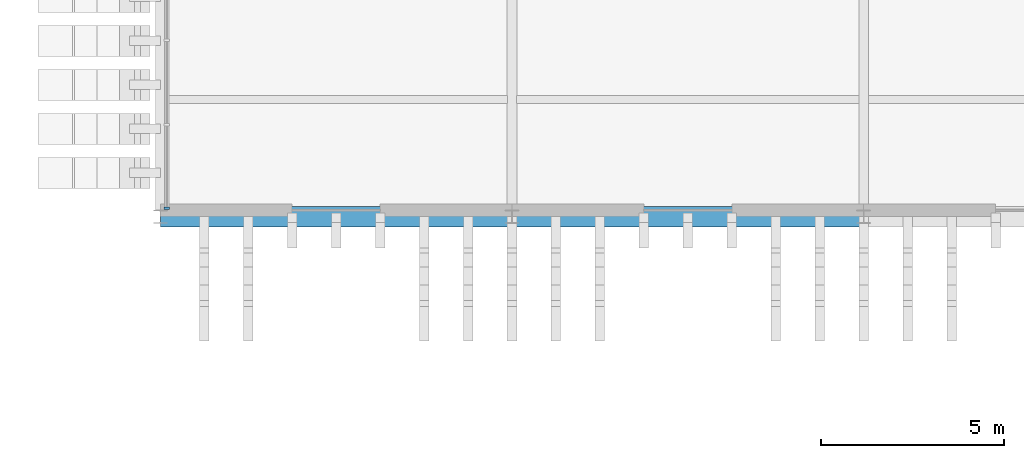
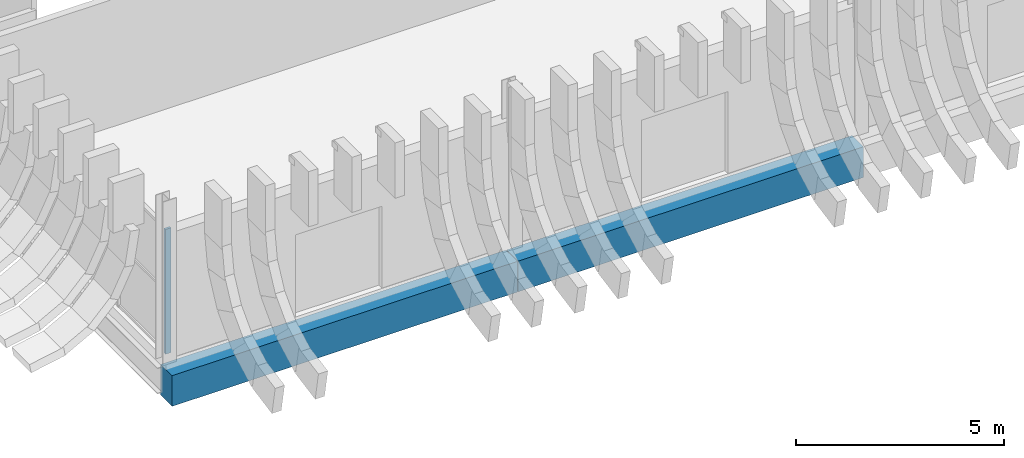
# One storey, part 13 of 100: 2 beams, 1 member, 1 element without a shape of its own.
"""IFC4 building model written with IfcOpenShell, lengths in metres."""

from ifc_helpers import new_model, si_unit, direction, frame, origin, origin_2d, place, context, subcontext, project, spatial, rectangle, extrude, material, layer, layer_set, material_profile, profile_set, type_object, element, aggregate, save


model = new_model("IFC4")

# Units and contexts
model_context = context("Model", 3, precision=1e-05, world=origin(), true_north=direction((0.0, 1.0)))
body_context = subcontext(model_context, "Body", "Model", "MODEL_VIEW")
ifc_project = project(units=[si_unit("LENGTHUNIT", "METRE"), si_unit("AREAUNIT", "SQUARE_METRE"), si_unit("VOLUMEUNIT", "CUBIC_METRE"), si_unit("PLANEANGLEUNIT", "RADIAN"), si_unit("MASSUNIT", "GRAM", prefix="KILO")], contexts=[model_context])

# Site, building, storey
site_placement = place(None, origin())
site = spatial("IfcSite", under=ifc_project, at=site_placement, CompositionType="ELEMENT")
building_placement = place(site_placement, origin())
building = spatial("IfcBuilding", under=site, at=building_placement, Name="Caelomonte Colonnade Arena", CompositionType="ELEMENT")
storey_placement = place(building_placement, origin())
storey = spatial("IfcBuildingStorey", under=building, at=storey_placement, Name="L00", CompositionType="ELEMENT", Elevation=0.0)

# Curtain wall, member
ifc_material_1 = material(Name="Bronze anodised aluminium and low-E glazing", Category="aluminium")
ifc_layer = layer(ifc_material_1, 0.179931640625)
ifc_layer_set = layer_set([ifc_layer], Name="Bronze anodised aluminium and low-E glazing")
curtain_wall_type = type_object("IfcCurtainWallType", Name="ENV-CW-CW-L00-96-37", PredefinedType="USERDEFINED", material=ifc_layer_set)
curtain_wall_placement = place(storey_placement, origin())
curtain_wall = element("IfcCurtainWall", 1, at=curtain_wall_placement, inside=storey, type_object=curtain_wall_type, Name="L00 unitized curtain wall CW-L00-0098-0336", ObjectType="UNITIZED CURTAIN WALL", PredefinedType="USERDEFINED")
ifc_material_2 = material(Name="Bronze anodised aluminium AA6063-T6", Category="aluminium")
ifc_material_profile_1 = material_profile(ifc_material_2, rectangle(XDim=0.06494140625, YDim=0.14990234375, at=origin_2d()), Name="CWM-65X150")
ifc_profile_set_1 = profile_set([ifc_material_profile_1], Name="Bronze anodised aluminium AA6063-T6")
member_type = type_object("IfcMemberType", Name="ENV-CW-MULL2", PredefinedType="MULLION", material=ifc_profile_set_1)
member_placement = place(storey_placement, frame((9.780029296875, 29.036865234375, 0.0), z_axis=(0.0, 0.0, 1.0), x_axis=(0.0, -1.0, 0.0)))
member = element("IfcMember", 2, at=member_placement, type_object=member_type, Name="CW-L00-96-37 mullion 5", PredefinedType="MULLION", context=body_context, shape_type="SweptSolid", body=[
    extrude(rectangle(XDim=0.06494140625, YDim=0.14990234375, at=origin_2d()), origin(), (0.0, 0.0, 1.0), 3.664306640625),
])
aggregate(curtain_wall, [member])

# Beams
ifc_material_3 = material(Name="Concrete C40/50", Category="concrete")
ifc_material_profile_2 = material_profile(ifc_material_3, rectangle(XDim=0.550048828125, YDim=0.89990234375, at=origin_2d()), Name="RC550X900")
ifc_profile_set_2 = profile_set([ifc_material_profile_2], Name="Concrete C40/50")
beam_type = type_object("IfcBeamType", Name="STR-BM-RC55", PredefinedType="BEAM", material=ifc_profile_set_2)
beam_1_placement = place(storey_placement, frame((9.608154296875, 28.800048828125, -0.75), z_axis=(1.0, 0.0, 0.0), x_axis=(0.0, 1.0, 0.0)))
element("IfcBeam", 3, at=beam_1_placement, inside=storey, type_object=beam_type, Name="L00 girder BMX-L00-0096-0288", PredefinedType="BEAM", context=body_context, shape_type="SweptSolid", body=[
    extrude(rectangle(XDim=0.550048828125, YDim=0.89990234375, at=origin_2d()), origin(), (0.0, 0.0, 1.0), 9.583740234375),
])
beam_2_placement = place(storey_placement, frame((19.208251953125, 28.800048828125, -0.75), z_axis=(1.0, 0.0, 0.0), x_axis=(0.0, 1.0, 0.0)))
element("IfcBeam", 4, at=beam_2_placement, inside=storey, type_object=beam_type, Name="L00 girder BMX-L00-0192-0288", PredefinedType="BEAM", context=body_context, shape_type="SweptSolid", body=[
    extrude(rectangle(XDim=0.550048828125, YDim=0.89990234375, at=origin_2d()), origin(), (0.0, 0.0, 1.0), 9.58349609375),
])

save(model, "model.ifc")
